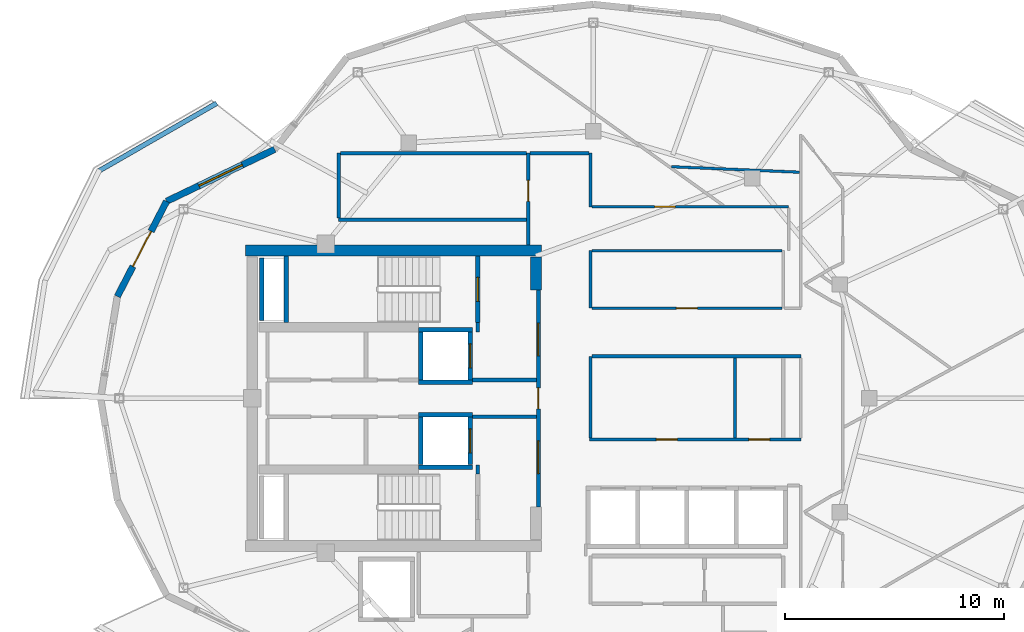
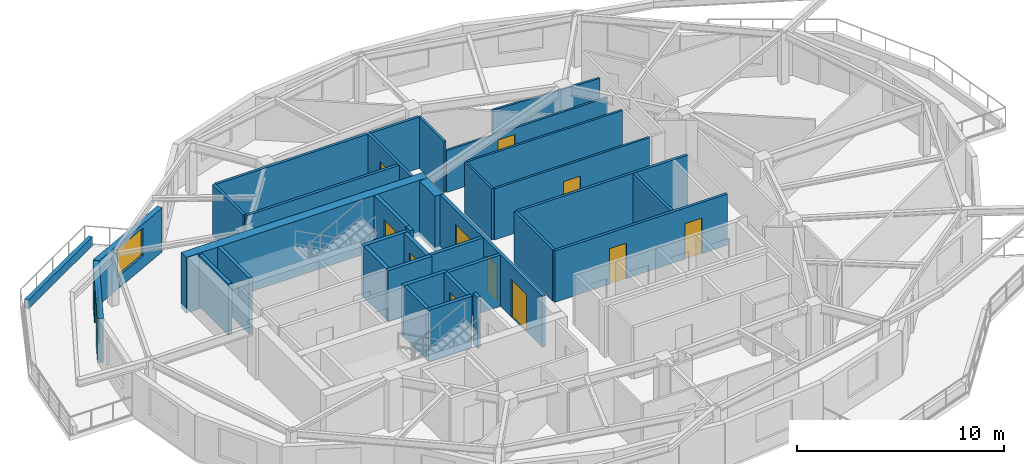
# One storey, part 5 of 9: 36 walls, 12 doors, 1 window, 13 openings.
"""IFC4 building model written with IfcOpenShell, lengths in metres."""

from ifc_helpers import new_model, si_unit, direction, frame, frame_2d, origin, place, context, subcontext, project, spatial, rectangle, extrude, material, layer, layer_set, type_object, element, fill, save


model = new_model("IFC4")

# Units and contexts
model_context = context("Model", 3, precision=1e-05, world=origin(), true_north=direction((0.0, 1.0)))
body_context = subcontext(model_context, "Body", "Model", "MODEL_VIEW")
ifc_project = project(units=[si_unit("LENGTHUNIT", "METRE"), si_unit("AREAUNIT", "SQUARE_METRE"), si_unit("VOLUMEUNIT", "CUBIC_METRE"), si_unit("PLANEANGLEUNIT", "RADIAN"), si_unit("MASSUNIT", "GRAM", prefix="KILO")], contexts=[model_context])

# Site, building, storey
site_placement = place(None, origin())
site = spatial("IfcSite", under=ifc_project, at=site_placement, CompositionType="ELEMENT")
building_placement = place(site_placement, origin())
building = spatial("IfcBuilding", under=site, at=building_placement, Name="Kolvaren Gate Tower and Convention Centre", CompositionType="ELEMENT")
storey_placement = place(building_placement, frame((0.0, 0.0, 249.199951171875)))
storey = spatial("IfcBuildingStorey", under=building, at=storey_placement, Name="L67", CompositionType="ELEMENT", Elevation=249.199951171875)

# Walls
ifc_material_1 = material(Name="Autoclaved Aerated Masonry Blockwork Class 4 (4.0 MPa)", Category="masonry")
ifc_layer_1 = layer(ifc_material_1, 0.179931640625)
ifc_layer_set_1 = layer_set([ifc_layer_1], Name="Autoclaved Aerated Masonry Blockwork Class 4 (4.0 MPa)")
wall_type_1 = type_object("IfcWallType", Name="ARCH-WL-COMP-180", PredefinedType="SOLIDWALL", material=ifc_layer_set_1)
for number, where, z_axis, x_axis, name in (
    (1, (24.85009765625, 23.5400390625, 0.0), (0.0, 0.0, 1.0), (0.0, 1.0, 0.0), "Interior Partition WL-L67-INT-001"),
    (2, (24.85009765625, 30.0400390625, 0.0), (0.0, 0.0, 1.0), (0.0, 1.0, 0.0), "Interior Partition WL-L67-INT-002"),
):
    element("IfcWall", number, at=place(storey_placement, frame(where, z_axis=z_axis, x_axis=x_axis)), inside=storey, type_object=wall_type_1, Name=name, PredefinedType="SOLIDWALL", context=body_context, shape_type="SweptSolid", body=[
        extrude(rectangle(XDim=0.419921875, YDim=0.179931640625, at=frame_2d((0.2099609375, 0.0))), origin(), (0.0, 0.0, 1.0), 3.030029296875),
    ])

# Wall, openings, doors
wall_1_placement = place(storey_placement, frame((27.6201171875, 22.050048828125, 0.0), z_axis=(0.0, 0.0, 1.0), x_axis=(0.0, 1.0, 0.0)))
wall_1 = element("IfcWall", 3, at=wall_1_placement, inside=storey, type_object=wall_type_1, Name="Interior Partition WL-L67-INT-003", PredefinedType="SOLIDWALL", context=body_context, shape_type="SweptSolid", body=[
    extrude(rectangle(XDim=9.89990234375, YDim=0.179931640625, at=frame_2d((4.949951171875, 0.0))), origin(), (0.0, 0.0, 1.0), 3.030029296875),
])
opening_1_placement = place(wall_1_placement, frame((4.47509765625, 0.0, 0.0)))
opening_1 = element("IfcOpeningElement", 4, at=opening_1_placement, cuts=wall_1, Name="Opening DR-01", PredefinedType="OPENING", context=body_context, shape_type="SweptSolid", body=[
    extrude(rectangle(XDim=0.949951171875, YDim=2.10009765625, at=frame_2d((0.47509765625, 1.050048828125))), frame((0.0, 0.099853515625, 0.0), z_axis=(0.0, -1.0, 0.0), x_axis=(1.0, 0.0, 0.0)), (0.0, 0.0, 1.0), 0.199951171875),
])
opening_2_placement = place(wall_1_placement, frame((6.889892578125, 0.0, 0.0)))
opening_2 = element("IfcOpeningElement", 5, at=opening_2_placement, cuts=wall_1, Name="Opening DL-01", PredefinedType="OPENING", context=body_context, shape_type="SweptSolid", body=[
    extrude(rectangle(XDim=1.5, YDim=2.199951171875, at=frame_2d((0.75, 1.10009765625))), frame((0.0, 0.099853515625, 0.0), z_axis=(0.0, -1.0, 0.0), x_axis=(1.0, 0.0, 0.0)), (0.0, 0.0, 1.0), 0.199951171875),
])
opening_3_placement = place(wall_1_placement, frame((1.510009765625, 0.0, 0.0)))
opening_3 = element("IfcOpeningElement", 6, at=opening_3_placement, cuts=wall_1, Name="Opening DL-01", PredefinedType="OPENING", context=body_context, shape_type="SweptSolid", body=[
    extrude(rectangle(XDim=1.5, YDim=2.199951171875, at=frame_2d((0.75, 1.10009765625))), frame((0.0, 0.099853515625, 0.0), z_axis=(0.0, -1.0, 0.0), x_axis=(1.0, 0.0, 0.0)), (0.0, 0.0, 1.0), 0.199951171875),
])
ifc_material_2 = material(Name="Painted Architectural Steelwork ASTM A500 Grade C 345 MPa", Category="steel")
door_type_1 = type_object("IfcDoorType", Name="ARCH-DR-LOBBY-1500", OperationType="DOUBLE_DOOR_SINGLE_SWING", PredefinedType="DOOR", material=ifc_material_2)
door_1_placement = place(opening_2_placement, origin())
door_1 = element("IfcDoor", 7, at=door_1_placement, inside=storey, type_object=door_type_1, Name="North Firefighting Stair and Lift Lobby Door", OperationType="DOUBLE_DOOR_SINGLE_SWING", OverallHeight=2.199951171875, OverallWidth=1.5, PredefinedType="DOOR", context=body_context, shape_type="SweptSolid", body=[
    extrude(rectangle(XDim=1.5, YDim=2.199951171875, at=frame_2d((0.75, 1.10009765625))), frame((0.0, 0.02490234375, 0.0), z_axis=(0.0, -1.0, 0.0), x_axis=(1.0, 0.0, 0.0)), (0.0, 0.0, 1.0), 0.050048828125),
])
fill(opening_2, door_1)
door_2_placement = place(opening_3_placement, origin())
door_2 = element("IfcDoor", 8, at=door_2_placement, inside=storey, type_object=door_type_1, Name="South Firefighting Stair and Lift Lobby Door", OperationType="DOUBLE_DOOR_SINGLE_SWING", OverallHeight=2.199951171875, OverallWidth=1.5, PredefinedType="DOOR", context=body_context, shape_type="SweptSolid", body=[
    extrude(rectangle(XDim=1.5, YDim=2.199951171875, at=frame_2d((0.75, 1.10009765625))), frame((0.0, 0.02490234375, 0.0), z_axis=(0.0, -1.0, 0.0), x_axis=(1.0, 0.0, 0.0)), (0.0, 0.0, 1.0), 0.050048828125),
])
fill(opening_3, door_2)
door_type_2 = type_object("IfcDoorType", Name="ARCH-DR-RISER-950", OperationType="SINGLE_SWING_RIGHT", PredefinedType="DOOR", material=ifc_material_2)
door_3_placement = place(opening_1_placement, origin())
door_3 = element("IfcDoor", 9, at=door_3_placement, inside=storey, type_object=door_type_2, Name="Central MEP Service Corridor Door", OperationType="SINGLE_SWING_LEFT", OverallHeight=2.10009765625, OverallWidth=0.949951171875, PredefinedType="DOOR", context=body_context, shape_type="SweptSolid", body=[
    extrude(rectangle(XDim=0.949951171875, YDim=2.10009765625, at=frame_2d((0.47509765625, 1.050048828125))), frame((0.0, 0.02490234375, 0.0), z_axis=(0.0, -1.0, 0.0), x_axis=(1.0, 0.0, 0.0)), (0.0, 0.0, 1.0), 0.050048828125),
])
fill(opening_1, door_3)

# Walls
for number, where, z_axis, x_axis, name in (
    (10, (24.60009765625, 27.840087890625, 0.0), (0.0, 0.0, 1.0), (1.0, 0.0, 0.0), "Interior Partition WL-L67-INT-004 (2)"),
    (11, (24.60009765625, 26.159912109375, 0.0), (0.0, 0.0, 1.0), (1.0, 0.0, 0.0), "Interior Partition WL-L67-INT-005 (2)"),
):
    element("IfcWall", number, at=place(storey_placement, frame(where, z_axis=z_axis, x_axis=x_axis)), inside=storey, type_object=wall_type_1, Name=name, PredefinedType="SOLIDWALL", context=body_context, shape_type="SweptSolid", body=[
        extrude(rectangle(XDim=2.927978515625, YDim=0.179931640625, at=frame_2d((1.4638671875, 0.0))), origin(), (0.0, 0.0, 1.0), 3.030029296875),
    ])
ifc_material_3 = material(Name="Fire-Rated Acoustic Gypsum Stud Partition", Category="gypsum")
ifc_layer_2 = layer(ifc_material_3, 0.1201171875)
ifc_layer_set_2 = layer_set([ifc_layer_2], Name="Fire-Rated Acoustic Gypsum Stud Partition")
wall_type_2 = type_object("IfcWallType", Name="ARCH-WL-PART-120", PredefinedType="PARTITIONING", material=ifc_layer_set_2)
wall_2_placement = place(storey_placement, frame((30.0, 31.1201171875, 0.0), z_axis=(0.0, 0.0, 1.0), x_axis=(0.0, 1.0, 0.0)))
element("IfcWall", 12, at=wall_2_placement, inside=storey, type_object=wall_type_2, Name="Interior Partition WL-L67-INT-017", PredefinedType="PARTITIONING", context=body_context, shape_type="SweptSolid", body=[
    extrude(rectangle(XDim=2.6298828125, YDim=0.1201171875, at=frame_2d((1.31494140625, 0.0))), origin(), (0.0, 0.0, 1.0), 3.030029296875),
])
wall_3_placement = place(storey_placement, frame((30.0, 35.75, 0.0), z_axis=(0.0, 0.0, 1.0), x_axis=(0.0, 1.0, 0.0)))
element("IfcWall", 13, at=wall_3_placement, inside=storey, type_object=wall_type_2, Name="Interior Partition WL-L67-INT-018", PredefinedType="PARTITIONING", context=body_context, shape_type="SweptSolid", body=[
    extrude(rectangle(XDim=2.449951171875, YDim=0.1201171875, at=frame_2d((1.22509765625, 0.0))), origin(), (0.0, 0.0, 1.0), 3.030029296875),
])

# Wall, opening, door
wall_4_placement = place(storey_placement, frame((30.06201171875, 31.1201171875, 0.0), z_axis=(0.0, 0.0, 1.0), x_axis=(1.0, 0.0, 0.0)))
wall_4 = element("IfcWall", 14, at=wall_4_placement, inside=storey, type_object=wall_type_2, Name="Interior Partition WL-L67-INT-024", PredefinedType="PARTITIONING", context=body_context, shape_type="SweptSolid", body=[
    extrude(rectangle(XDim=8.676025390625, YDim=0.1201171875, at=frame_2d((4.337890625, 0.0))), origin(), (0.0, 0.0, 1.0), 3.030029296875),
])
opening_4_placement = place(wall_4_placement, frame((3.863037109375, 0.0, 0.0)))
opening_4 = element("IfcOpeningElement", 15, at=opening_4_placement, cuts=wall_4, Name="Opening DR-01", PredefinedType="OPENING", context=body_context, shape_type="SweptSolid", body=[
    extrude(rectangle(XDim=0.949951171875, YDim=2.10009765625, at=frame_2d((0.47509765625, 1.050048828125))), frame((0.0, 0.070068359375, 0.0), z_axis=(0.0, -1.0, 0.0), x_axis=(1.0, 0.0, 0.0)), (0.0, 0.0, 1.0), 0.14013671875),
])
door_4_placement = place(opening_4_placement, origin())
door_4 = element("IfcDoor", 16, at=door_4_placement, inside=storey, type_object=door_type_2, Name="Botanical Reading Clubroom Door", OperationType="SINGLE_SWING_LEFT", OverallHeight=2.10009765625, OverallWidth=0.949951171875, PredefinedType="DOOR", context=body_context, shape_type="SweptSolid", body=[
    extrude(rectangle(XDim=0.949951171875, YDim=2.10009765625, at=frame_2d((0.47509765625, 1.050048828125))), frame((0.0, 0.02490234375, 0.0), z_axis=(0.0, -1.0, 0.0), x_axis=(1.0, 0.0, 0.0)), (0.0, 0.0, 1.0), 0.050048828125),
])
fill(opening_4, door_4)

# Wall
wall_5_placement = place(storey_placement, frame((30.06201171875, 33.75, 0.0), z_axis=(0.0, 0.0, 1.0), x_axis=(1.0, 0.0, 0.0)))
element("IfcWall", 17, at=wall_5_placement, inside=storey, type_object=wall_type_2, Name="Interior Partition WL-L67-INT-025", PredefinedType="PARTITIONING", context=body_context, shape_type="SweptSolid", body=[
    extrude(rectangle(XDim=8.676025390625, YDim=0.1201171875, at=frame_2d((4.337890625, 0.0))), origin(), (0.0, 0.0, 1.0), 3.030029296875),
])

# Wall, opening, door
wall_6_placement = place(storey_placement, frame((30.06201171875, 35.75, 0.0), z_axis=(0.0, 0.0, 1.0), x_axis=(1.0, 0.0, 0.0)))
wall_6 = element("IfcWall", 18, at=wall_6_placement, inside=storey, type_object=wall_type_2, Name="Interior Partition WL-L67-INT-032", PredefinedType="PARTITIONING", context=body_context, shape_type="SweptSolid", body=[
    extrude(rectangle(XDim=8.988037109375, YDim=0.1201171875, at=frame_2d((4.494140625, 0.0))), origin(), (0.0, 0.0, 1.0), 2.47802734375),
])
opening_5_placement = place(wall_6_placement, frame((2.860107421875, 0.0, 0.0)))
opening_5 = element("IfcOpeningElement", 19, at=opening_5_placement, cuts=wall_6, Name="Opening DR-01", PredefinedType="OPENING", context=body_context, shape_type="SweptSolid", body=[
    extrude(rectangle(XDim=0.949951171875, YDim=2.10009765625, at=frame_2d((0.47509765625, 1.050048828125))), frame((0.0, 0.070068359375, 0.0), z_axis=(0.0, -1.0, 0.0), x_axis=(1.0, 0.0, 0.0)), (0.0, 0.0, 1.0), 0.14013671875),
])
door_5_placement = place(opening_5_placement, origin())
door_5 = element("IfcDoor", 20, at=door_5_placement, inside=storey, type_object=door_type_2, Name="Resident Private Study and Home Office Door", OperationType="SINGLE_SWING_LEFT", OverallHeight=2.10009765625, OverallWidth=0.949951171875, PredefinedType="DOOR", context=body_context, shape_type="SweptSolid", body=[
    extrude(rectangle(XDim=0.949951171875, YDim=2.10009765625, at=frame_2d((0.47509765625, 1.050048828125))), frame((0.0, 0.02490234375, 0.0), z_axis=(0.0, -1.0, 0.0), x_axis=(1.0, 0.0, 0.0)), (0.0, 0.0, 1.0), 0.050048828125),
])
fill(opening_5, door_5)

# Walls
wall_7_placement = place(storey_placement, frame((33.69921875, 37.5791015625, 0.0), z_axis=(0.0, 0.0, 1.0), x_axis=(0.999081056781, -0.042860727724, 0.0)))
element("IfcWall", 21, at=wall_7_placement, inside=storey, type_object=wall_type_2, Name="Interior Partition WL-L67-INT-074", PredefinedType="PARTITIONING", context=body_context, shape_type="SweptSolid", body=[
    extrude(rectangle(XDim=5.84423828125, YDim=0.1201171875, at=frame_2d((2.922119140625, 0.0))), origin(), (0.0, 0.0, 1.0), 2.47802734375),
])
ifc_material_4 = material(Name="Piedmont Cream Honed Limestone Cladding", Category="masonry")
ifc_layer_3 = layer(ifc_material_4, 0.219970703125)
ifc_layer_set_3 = layer_set([ifc_layer_3], Name="Piedmont Cream Honed Limestone Cladding")
wall_type_3 = type_object("IfcWallType", Name="ARCH-WL-PLANTER-220", PredefinedType="PARAPET", material=ifc_layer_set_3)
wall_8_placement = place(storey_placement, frame((7.556884765625, 37.390625, 0.0), z_axis=(0.0, 0.0, 1.0), x_axis=(0.866901621005, 0.49847926687, 0.0)))
element("IfcWall", 22, at=wall_8_placement, inside=storey, type_object=wall_type_3, Name="Vertical-Forest Balcony Stone Planter Kerb PK-L67-2.1", PredefinedType="PARAPET", context=body_context, shape_type="SweptSolid", body=[
    extrude(rectangle(XDim=6.196533203125, YDim=0.219970703125, at=frame_2d((3.09814453125, 0.0))), origin(), (0.0, 0.0, 1.0), 0.52001953125),
])
ifc_layer_4 = layer(ifc_material_1, 0.199951171875)
ifc_layer_set_4 = layer_set([ifc_layer_4], Name="Autoclaved Aerated Masonry Blockwork Class 4 (4.0 MPa)")
wall_type_4 = type_object("IfcWallType", Name="ARCH-WL-SHAFT-200", PredefinedType="SOLIDWALL", material=ifc_layer_set_4)
for number, where, z_axis, x_axis, name in (
    (23, (22.14990234375, 30.139892578125, 0.0), (0.0, 0.0, 1.0), (1.0, 0.0, 0.0), "Elevator FF-01 L67 Fire Shaft Wall N"),
    (24, (22.14990234375, 27.739990234375, 0.0), (0.0, 0.0, 1.0), (1.0, 0.0, 0.0), "Elevator FF-01 L67 Fire Shaft Wall S"),
):
    element("IfcWall", number, at=place(storey_placement, frame(where, z_axis=z_axis, x_axis=x_axis)), inside=storey, type_object=wall_type_4, Name=name, PredefinedType="SOLIDWALL", context=body_context, shape_type="SweptSolid", body=[
        extrude(rectangle(XDim=2.4501953125, YDim=0.199951171875, at=frame_2d((1.22509765625, 0.0))), origin(), (0.0, 0.0, 1.0), 3.030029296875),
    ])
wall_9_placement = place(storey_placement, frame((22.25, 27.85009765625, 0.0), z_axis=(0.0, 0.0, 1.0), x_axis=(0.0, 1.0, 0.0)))
element("IfcWall", 25, at=wall_9_placement, inside=storey, type_object=wall_type_4, Name="Elevator FF-01 L67 Fire Shaft Wall W", PredefinedType="SOLIDWALL", context=body_context, shape_type="SweptSolid", body=[
    extrude(rectangle(XDim=2.179931640625, YDim=0.199951171875, at=frame_2d((1.08984375, 0.0))), origin(), (0.0, 0.0, 1.0), 3.030029296875),
])

# Wall, opening, door
wall_10_placement = place(storey_placement, frame((24.5, 27.85009765625, 0.0), z_axis=(0.0, 0.0, 1.0), x_axis=(0.0, 1.0, 0.0)))
wall_10 = element("IfcWall", 26, at=wall_10_placement, inside=storey, type_object=wall_type_4, Name="Elevator FF-01 L67 Fire Shaft Wall E", PredefinedType="SOLIDWALL", context=body_context, shape_type="SweptSolid", body=[
    extrude(rectangle(XDim=2.179931640625, YDim=0.199951171875, at=frame_2d((1.08984375, 0.0))), origin(), (0.0, 0.0, 1.0), 3.030029296875),
])
opening_6_placement = place(wall_10_placement, frame((0.5400390625, 0.0, 0.0)))
opening_6 = element("IfcOpeningElement", 27, at=opening_6_placement, cuts=wall_10, Name="Opening LD", PredefinedType="OPENING", context=body_context, shape_type="SweptSolid", body=[
    extrude(rectangle(XDim=1.10009765625, YDim=2.199951171875, at=frame_2d((0.550048828125, 1.10009765625))), frame((0.0, 0.10986328125, 0.0), z_axis=(0.0, -1.0, 0.0), x_axis=(1.0, 0.0, 0.0)), (0.0, 0.0, 1.0), 0.219970703125),
])
ifc_material_5 = material(Name="Brushed Stainless Steel Grade 316L", Category="steel")
door_type_3 = type_object("IfcDoorType", Name="ARCH-DR-LIFT-1100", OperationType="SLIDING_TO_LEFT", PredefinedType="DOOR", material=ifc_material_5)
door_6_placement = place(opening_6_placement, origin())
door_6 = element("IfcDoor", 28, at=door_6_placement, inside=storey, type_object=door_type_3, Name="Elevator FF-01 L67 Sliding Landing Door", OperationType="SLIDING_TO_LEFT", OverallHeight=2.199951171875, OverallWidth=1.10009765625, PredefinedType="DOOR", context=body_context, shape_type="SweptSolid", body=[
    extrude(rectangle(XDim=1.10009765625, YDim=2.199951171875, at=frame_2d((0.550048828125, 1.10009765625))), frame((0.0, 0.02490234375, 0.0), z_axis=(0.0, -1.0, 0.0), x_axis=(1.0, 0.0, 0.0)), (0.0, 0.0, 1.0), 0.050048828125),
])
fill(opening_6, door_6)

# Walls
for number, where, z_axis, x_axis, name in (
    (29, (22.14990234375, 26.260009765625, 0.0), (0.0, 0.0, 1.0), (1.0, 0.0, 0.0), "Elevator FF-02 L67 Fire Shaft Wall N"),
    (30, (22.14990234375, 23.860107421875, 0.0), (0.0, 0.0, 1.0), (1.0, 0.0, 0.0), "Elevator FF-02 L67 Fire Shaft Wall S"),
):
    element("IfcWall", number, at=place(storey_placement, frame(where, z_axis=z_axis, x_axis=x_axis)), inside=storey, type_object=wall_type_4, Name=name, PredefinedType="SOLIDWALL", context=body_context, shape_type="SweptSolid", body=[
        extrude(rectangle(XDim=2.4501953125, YDim=0.199951171875, at=frame_2d((1.22509765625, 0.0))), origin(), (0.0, 0.0, 1.0), 3.030029296875),
    ])
wall_11_placement = place(storey_placement, frame((22.25, 23.969970703125, 0.0), z_axis=(0.0, 0.0, 1.0), x_axis=(0.0, 1.0, 0.0)))
element("IfcWall", 31, at=wall_11_placement, inside=storey, type_object=wall_type_4, Name="Elevator FF-02 L67 Fire Shaft Wall W", PredefinedType="SOLIDWALL", context=body_context, shape_type="SweptSolid", body=[
    extrude(rectangle(XDim=2.179931640625, YDim=0.199951171875, at=frame_2d((1.08984375, 0.0))), origin(), (0.0, 0.0, 1.0), 3.030029296875),
])

# Wall, opening, door
wall_12_placement = place(storey_placement, frame((24.5, 23.969970703125, 0.0), z_axis=(0.0, 0.0, 1.0), x_axis=(0.0, 1.0, 0.0)))
wall_12 = element("IfcWall", 32, at=wall_12_placement, inside=storey, type_object=wall_type_4, Name="Elevator FF-02 L67 Fire Shaft Wall E", PredefinedType="SOLIDWALL", context=body_context, shape_type="SweptSolid", body=[
    extrude(rectangle(XDim=2.179931640625, YDim=0.199951171875, at=frame_2d((1.08984375, 0.0))), origin(), (0.0, 0.0, 1.0), 3.030029296875),
])
opening_7_placement = place(wall_12_placement, frame((0.5400390625, 0.0, 0.0)))
opening_7 = element("IfcOpeningElement", 33, at=opening_7_placement, cuts=wall_12, Name="Opening LD", PredefinedType="OPENING", context=body_context, shape_type="SweptSolid", body=[
    extrude(rectangle(XDim=1.10009765625, YDim=2.199951171875, at=frame_2d((0.550048828125, 1.10009765625))), frame((0.0, 0.10986328125, 0.0), z_axis=(0.0, -1.0, 0.0), x_axis=(1.0, 0.0, 0.0)), (0.0, 0.0, 1.0), 0.219970703125),
])
door_7_placement = place(opening_7_placement, origin())
door_7 = element("IfcDoor", 34, at=door_7_placement, inside=storey, type_object=door_type_3, Name="Elevator FF-02 L67 Sliding Landing Door", OperationType="SLIDING_TO_LEFT", OverallHeight=2.199951171875, OverallWidth=1.10009765625, PredefinedType="DOOR", context=body_context, shape_type="SweptSolid", body=[
    extrude(rectangle(XDim=1.10009765625, YDim=2.199951171875, at=frame_2d((0.550048828125, 1.10009765625))), frame((0.0, 0.02490234375, 0.0), z_axis=(0.0, -1.0, 0.0), x_axis=(1.0, 0.0, 0.0)), (0.0, 0.0, 1.0), 0.050048828125),
])
fill(opening_7, door_7)

# Wall
wall_13_placement = place(storey_placement, frame((14.989990234375, 30.550048828125, 0.0), z_axis=(0.0, 0.0, 1.0), x_axis=(0.0, 1.0, 0.0)))
element("IfcWall", 35, at=wall_13_placement, inside=storey, type_object=wall_type_4, Name="Vertical Shaft HVR L67 EI-120 Enclosure Wall W", PredefinedType="SOLIDWALL", context=body_context, shape_type="SweptSolid", body=[
    extrude(rectangle(XDim=2.849853515625, YDim=0.199951171875, at=frame_2d((1.4248046875, 0.0))), origin(), (0.0, 0.0, 1.0), 3.030029296875),
])

# Wall, opening, window
ifc_layer_5 = layer(ifc_material_4, 0.300048828125)
ifc_layer_set_5 = layer_set([ifc_layer_5], Name="Piedmont Cream Honed Limestone Cladding")
wall_type_5 = type_object("IfcWallType", Name="ARCH-WL-STONE-300", PredefinedType="SOLIDWALL", material=ifc_layer_set_5)
wall_14_placement = place(storey_placement, frame((10.639404296875, 36.0, 0.0), z_axis=(0.0, 0.0, 1.0), x_axis=(0.901355238351, 0.433080517106, 0.0)))
wall_14 = element("IfcWall", 36, at=wall_14_placement, inside=storey, type_object=wall_type_5, Name="Tower L67 Honed Stone Spandrel Wall EW-09", PredefinedType="SOLIDWALL", context=body_context, shape_type="SweptSolid", body=[
    extrude(rectangle(XDim=5.47314453125, YDim=0.300048828125, at=frame_2d((2.736572265625, 0.0))), origin(), (0.0, 0.0, 1.0), 2.60498046875),
])
opening_8_placement = place(wall_14_placement, frame((1.636962890625, 0.0, 0.719970703125)))
opening_8 = element("IfcOpeningElement", 37, at=opening_8_placement, cuts=wall_14, Name="Opening W-03", PredefinedType="OPENING", context=body_context, shape_type="SweptSolid", body=[
    extrude(rectangle(XDim=2.199951171875, YDim=1.64990234375, at=frame_2d((1.10009765625, 0.824951171875))), frame((0.0, 0.159912109375, 0.0), z_axis=(0.0, -1.0, 0.0), x_axis=(1.0, 0.0, 0.0)), (0.0, 0.0, 1.0), 0.320068359375),
])
ifc_material_6 = material(Name="Low-E Triple Insulated Glazing Unit 44 mm", Category="glass")
window_type = type_object("IfcWindowType", Name="ARCH-WN-RES-2200", PartitioningType="SINGLE_PANEL", PredefinedType="WINDOW", material=ifc_material_6)
window_placement = place(opening_8_placement, origin())
window = element("IfcWindow", 38, at=window_placement, inside=storey, type_object=window_type, Name="Tower L67 Punched Stone Facade Window W-09", OverallHeight=1.64990234375, OverallWidth=2.199951171875, PartitioningType="SINGLE_PANEL", PredefinedType="WINDOW", context=body_context, shape_type="SweptSolid", body=[
    extrude(rectangle(XDim=2.199951171875, YDim=1.64990234375, at=frame_2d((1.10009765625, 0.824951171875))), frame((0.0, 0.030029296875, 0.0), z_axis=(0.0, -1.0, 0.0), x_axis=(1.0, 0.0, 0.0)), (0.0, 0.0, 1.0), 0.06005859375),
])
fill(opening_8, window)

# Wall, opening, door
wall_15_placement = place(storey_placement, frame((8.3916015625, 31.65869140625, 0.0), z_axis=(0.0, 0.0, 1.0), x_axis=(0.459793771602, 0.888025724625, 0.0)))
wall_15 = element("IfcWall", 39, at=wall_15_placement, inside=storey, type_object=wall_type_5, Name="Tower L67 Honed Stone Spandrel Wall EW-10", PredefinedType="SOLIDWALL", context=body_context, shape_type="SweptSolid", body=[
    extrude(rectangle(XDim=4.888671875, YDim=0.300048828125, at=frame_2d((2.4443359375, 0.0))), origin(), (0.0, 0.0, 1.0), 2.60498046875),
])
opening_9_placement = place(wall_15_placement, frame((1.5439453125, 0.0, 0.0)))
opening_9 = element("IfcOpeningElement", 40, at=opening_9_placement, cuts=wall_15, Name="Opening DB-01", PredefinedType="OPENING", context=body_context, shape_type="SweptSolid", body=[
    extrude(rectangle(XDim=1.800048828125, YDim=2.25, at=frame_2d((0.89990234375, 1.125))), frame((0.0, 0.159912109375, 0.0), z_axis=(0.0, -1.0, 0.0), x_axis=(1.0, 0.0, 0.0)), (0.0, 0.0, 1.0), 0.320068359375),
])
ifc_material_7 = material(Name="Anodized Architectural Aluminium Alloy 6063-T6", Category="aluminium")
door_type_4 = type_object("IfcDoorType", Name="ARCH-DR-BALC-1800", OperationType="SLIDING_TO_LEFT", PredefinedType="DOOR", material=ifc_material_7)
door_8_placement = place(opening_9_placement, origin())
door_8 = element("IfcDoor", 41, at=door_8_placement, inside=storey, type_object=door_type_4, Name="Planted Sky Terrace Access Door DB-L67-10", OperationType="SLIDING_TO_LEFT", OverallHeight=2.25, OverallWidth=1.800048828125, PredefinedType="DOOR", context=body_context, shape_type="SweptSolid", body=[
    extrude(rectangle(XDim=1.800048828125, YDim=2.25, at=frame_2d((0.89990234375, 1.125))), frame((0.0, 0.02490234375, 0.0), z_axis=(0.0, -1.0, 0.0), x_axis=(1.0, 0.0, 0.0)), (0.0, 0.0, 1.0), 0.050048828125),
])
fill(opening_9, door_8)

ifc_material_8 = material(Name="Moisture-Resistant Cement-Board Acoustic Partition", Category="gypsum")
ifc_layer_6 = layer(ifc_material_8, 0.14990234375)
ifc_layer_set_6 = layer_set([ifc_layer_6], Name="Moisture-Resistant Cement-Board Acoustic Partition")
wall_type_6 = type_object("IfcWallType", Name="ARCH-WL-WET-150", PredefinedType="PARTITIONING", material=ifc_layer_set_6)
wall_16_placement = place(storey_placement, frame((27.14990234375, 34.001953125, 0.0), z_axis=(0.0, 0.0, 1.0), x_axis=(0.0, 1.0, 0.0)))
wall_16 = element("IfcWall", 42, at=wall_16_placement, inside=storey, type_object=wall_type_6, Name="Interior Partition WL-L67-INT-013", PredefinedType="PARTITIONING", context=body_context, shape_type="SweptSolid", body=[
    extrude(rectangle(XDim=4.197998046875, YDim=0.14990234375, at=frame_2d((2.09912109375, 0.0))), origin(), (0.0, 0.0, 1.0), 3.030029296875),
])
opening_10_placement = place(wall_16_placement, frame((1.998046875, 0.0, 0.0)))
opening_10 = element("IfcOpeningElement", 43, at=opening_10_placement, cuts=wall_16, Name="Opening DR-01", PredefinedType="OPENING", context=body_context, shape_type="SweptSolid", body=[
    extrude(rectangle(XDim=0.949951171875, YDim=2.10009765625, at=frame_2d((0.47509765625, 1.050048828125))), frame((0.0, 0.0849609375, 0.0), z_axis=(0.0, -1.0, 0.0), x_axis=(1.0, 0.0, 0.0)), (0.0, 0.0, 1.0), 0.169921875),
])
door_9_placement = place(opening_10_placement, origin())
door_9 = element("IfcDoor", 44, at=door_9_placement, inside=storey, type_object=door_type_2, Name="Reclaimed North Resident Store Door", OperationType="SINGLE_SWING_LEFT", OverallHeight=2.10009765625, OverallWidth=0.949951171875, PredefinedType="DOOR", context=body_context, shape_type="SweptSolid", body=[
    extrude(rectangle(XDim=0.949951171875, YDim=2.10009765625, at=frame_2d((0.47509765625, 1.050048828125))), frame((0.0, 0.02490234375, 0.0), z_axis=(0.0, -1.0, 0.0), x_axis=(1.0, 0.0, 0.0)), (0.0, 0.0, 1.0), 0.050048828125),
])
fill(opening_10, door_9)

# Wall, openings, doors
wall_17_placement = place(storey_placement, frame((29.9599609375, 25.1201171875, 0.0), z_axis=(0.0, 0.0, 1.0), x_axis=(1.0, 0.0, 0.0)))
wall_17 = element("IfcWall", 45, at=wall_17_placement, inside=storey, type_object=wall_type_6, Name="Interior Partition WL-L67-INT-014", PredefinedType="PARTITIONING", context=body_context, shape_type="SweptSolid", body=[
    extrude(rectangle(XDim=9.64013671875, YDim=0.14990234375, at=frame_2d((4.820068359375, 0.0))), origin(), (0.0, 0.0, 1.0), 3.030029296875),
])
opening_11_placement = place(wall_17_placement, frame((3.050048828125, 0.0, 0.0)))
opening_11 = element("IfcOpeningElement", 46, at=opening_11_placement, cuts=wall_17, Name="Opening DR-01", PredefinedType="OPENING", context=body_context, shape_type="SweptSolid", body=[
    extrude(rectangle(XDim=0.949951171875, YDim=2.10009765625, at=frame_2d((0.47509765625, 1.050048828125))), frame((0.0, 0.0849609375, 0.0), z_axis=(0.0, -1.0, 0.0), x_axis=(1.0, 0.0, 0.0)), (0.0, 0.0, 1.0), 0.169921875),
])
opening_12_placement = place(wall_17_placement, frame((7.264892578125, 0.0, 0.0)))
opening_12 = element("IfcOpeningElement", 47, at=opening_12_placement, cuts=wall_17, Name="Opening DR-01", PredefinedType="OPENING", context=body_context, shape_type="SweptSolid", body=[
    extrude(rectangle(XDim=0.949951171875, YDim=2.10009765625, at=frame_2d((0.47509765625, 1.050048828125))), frame((0.0, 0.0849609375, 0.0), z_axis=(0.0, -1.0, 0.0), x_axis=(1.0, 0.0, 0.0)), (0.0, 0.0, 1.0), 0.169921875),
])
door_10_placement = place(opening_11_placement, origin())
door_10 = element("IfcDoor", 48, at=door_10_placement, inside=storey, type_object=door_type_2, Name="Accessible Universal Washroom Door", OperationType="SINGLE_SWING_LEFT", OverallHeight=2.10009765625, OverallWidth=0.949951171875, PredefinedType="DOOR", context=body_context, shape_type="SweptSolid", body=[
    extrude(rectangle(XDim=0.949951171875, YDim=2.10009765625, at=frame_2d((0.47509765625, 1.050048828125))), frame((0.0, 0.02490234375, 0.0), z_axis=(0.0, -1.0, 0.0), x_axis=(1.0, 0.0, 0.0)), (0.0, 0.0, 1.0), 0.050048828125),
])
fill(opening_11, door_10)
door_11_placement = place(opening_12_placement, origin())
door_11 = element("IfcDoor", 49, at=door_11_placement, inside=storey, type_object=door_type_2, Name="Floor Janitor and Supply Store Door", OperationType="SINGLE_SWING_RIGHT", OverallHeight=2.10009765625, OverallWidth=0.949951171875, PredefinedType="DOOR", context=body_context, shape_type="SweptSolid", body=[
    extrude(rectangle(XDim=0.949951171875, YDim=2.10009765625, at=frame_2d((0.47509765625, 1.050048828125))), frame((0.0, 0.02490234375, 0.0), z_axis=(0.0, -1.0, 0.0), x_axis=(1.0, 0.0, 0.0)), (0.0, 0.0, 1.0), 0.050048828125),
])
fill(opening_12, door_11)

# Walls
wall_18_placement = place(storey_placement, frame((30.0, 25.197021484375, 0.0), z_axis=(0.0, 0.0, 1.0), x_axis=(0.0, 1.0, 0.0)))
element("IfcWall", 50, at=wall_18_placement, inside=storey, type_object=wall_type_6, Name="Interior Partition WL-L67-INT-016", PredefinedType="PARTITIONING", context=body_context, shape_type="SweptSolid", body=[
    extrude(rectangle(XDim=3.722900390625, YDim=0.14990234375, at=frame_2d((1.861328125, 0.0))), origin(), (0.0, 0.0, 1.0), 3.030029296875),
])
wall_19_placement = place(storey_placement, frame((30.076904296875, 28.919921875, 0.0), z_axis=(0.0, 0.0, 1.0), x_axis=(1.0, 0.0, 0.0)))
element("IfcWall", 51, at=wall_19_placement, inside=storey, type_object=wall_type_6, Name="Interior Partition WL-L67-INT-019", PredefinedType="PARTITIONING", context=body_context, shape_type="SweptSolid", body=[
    extrude(rectangle(XDim=9.523193359375, YDim=0.14990234375, at=frame_2d((4.76171875, 0.0))), origin(), (0.0, 0.0, 1.0), 3.030029296875),
])
wall_20_placement = place(storey_placement, frame((36.60009765625, 25.197021484375, 0.0), z_axis=(0.0, 0.0, 1.0), x_axis=(0.0, 1.0, 0.0)))
element("IfcWall", 52, at=wall_20_placement, inside=storey, type_object=wall_type_6, Name="Interior Partition WL-L67-INT-020", PredefinedType="PARTITIONING", context=body_context, shape_type="SweptSolid", body=[
    extrude(rectangle(XDim=3.64599609375, YDim=0.14990234375, at=frame_2d((1.822998046875, 0.0))), origin(), (0.0, 0.0, 1.0), 3.030029296875),
])
wall_21_placement = place(storey_placement, frame((18.5, 35.159912109375, 0.0), z_axis=(0.0, 0.0, 1.0), x_axis=(1.0, 0.0, 0.0)))
element("IfcWall", 53, at=wall_21_placement, inside=storey, type_object=wall_type_6, Name="Interior Partition WL-L67-INT-029", PredefinedType="PARTITIONING", context=body_context, shape_type="SweptSolid", body=[
    extrude(rectangle(XDim=8.572998046875, YDim=0.14990234375, at=frame_2d((4.28662109375, 0.0))), origin(), (0.0, 0.0, 1.0), 3.030029296875),
])
wall_22_placement = place(storey_placement, frame((18.5, 35.237060546875, 0.0), z_axis=(0.0, 0.0, 1.0), x_axis=(0.0, 1.0, 0.0)))
element("IfcWall", 54, at=wall_22_placement, inside=storey, type_object=wall_type_6, Name="Interior Partition WL-L67-INT-030", PredefinedType="PARTITIONING", context=body_context, shape_type="SweptSolid", body=[
    extrude(rectangle(XDim=2.962890625, YDim=0.14990234375, at=frame_2d((1.4814453125, 0.0))), origin(), (0.0, 0.0, 1.0), 3.030029296875),
])
wall_23_placement = place(storey_placement, frame((18.576904296875, 38.199951171875, 0.0), z_axis=(0.0, 0.0, 1.0), x_axis=(1.0, 0.0, 0.0)))
element("IfcWall", 55, at=wall_23_placement, inside=storey, type_object=wall_type_6, Name="Interior Partition WL-L67-INT-031", PredefinedType="PARTITIONING", context=body_context, shape_type="SweptSolid", body=[
    extrude(rectangle(XDim=8.49609375, YDim=0.14990234375, at=frame_2d((4.248046875, 0.0))), origin(), (0.0, 0.0, 1.0), 3.030029296875),
])
wall_24_placement = place(storey_placement, frame((27.22705078125, 38.199951171875, 0.0), z_axis=(0.0, 0.0, 1.0), x_axis=(1.0, 0.0, 0.0)))
element("IfcWall", 56, at=wall_24_placement, inside=storey, type_object=wall_type_6, Name="Interior Partition WL-L67-INT-031 (2)", PredefinedType="PARTITIONING", context=body_context, shape_type="SweptSolid", body=[
    extrude(rectangle(XDim=2.7109375, YDim=0.14990234375, at=frame_2d((1.35546875, 0.0))), origin(), (0.0, 0.0, 1.0), 3.030029296875),
])
ifc_material_9 = material(Name="Concrete C50/60", Category="concrete")
ifc_layer_7 = layer(ifc_material_9, 0.5)
ifc_layer_set_7 = layer_set([ifc_layer_7], Name="Concrete C50/60")
wall_type_7 = type_object("IfcWallType", Name="STR-WL-CORE-500", PredefinedType="SHEAR", material=ifc_layer_set_7)
wall_25_placement = place(storey_placement, frame((14.25, 33.75, -0.27001953125), z_axis=(0.0, 0.0, 1.0), x_axis=(1.0, 0.0, 0.0)))
element("IfcWall", 57, at=wall_25_placement, inside=storey, type_object=wall_type_7, Name="Tower L67 Offset Core Shear Wall N", PredefinedType="SHEAR", context=body_context, shape_type="SweptSolid", body=[
    extrude(rectangle(XDim=13.5, YDim=0.5, at=frame_2d((6.75, 0.0))), origin(), (0.0, 0.0, 1.0), 3.300048828125),
])
wall_26_placement = place(storey_placement, frame((27.5, 31.949951171875, -0.27001953125), z_axis=(0.0, 0.0, 1.0), x_axis=(0.0, 1.0, 0.0)))
element("IfcWall", 58, at=wall_26_placement, inside=storey, type_object=wall_type_7, Name="Tower L67 Offset Core Shear Wall EN", PredefinedType="SHEAR", context=body_context, shape_type="SweptSolid", body=[
    extrude(rectangle(XDim=1.5, YDim=0.5, at=frame_2d((0.75, 0.0))), origin(), (0.0, 0.0, 1.0), 3.300048828125),
])

# Wall, opening, door
ifc_layer_8 = layer(ifc_material_9, 0.199951171875)
ifc_layer_set_8 = layer_set([ifc_layer_8], Name="Concrete C50/60")
wall_type_8 = type_object("IfcWallType", Name="STR-WL-SHAFT-200", PredefinedType="SHEAR", material=ifc_layer_set_8)
wall_27_placement = place(storey_placement, frame((24.85009765625, 30.4599609375, -0.27001953125), z_axis=(0.0, 0.0, 1.0), x_axis=(0.0, 1.0, 0.0)))
wall_27 = element("IfcWall", 59, at=wall_27_placement, inside=storey, type_object=wall_type_8, Name="Tower North Exit Stair ST-T1 L67 Structural Shear Enclosure Wall NEAR", PredefinedType="SHEAR", context=body_context, shape_type="SweptSolid", body=[
    extrude(rectangle(XDim=3.0380859375, YDim=0.199951171875, at=frame_2d((1.51904296875, 0.0))), origin(), (0.0, 0.0, 1.0), 3.300048828125),
])
opening_13_placement = place(wall_27_placement, frame((0.968994140625, 0.0, 0.27001953125)))
opening_13 = element("IfcOpeningElement", 60, at=opening_13_placement, cuts=wall_27, Name="Opening DS-01", PredefinedType="OPENING", context=body_context, shape_type="SweptSolid", body=[
    extrude(rectangle(XDim=1.10009765625, YDim=2.14990234375, at=frame_2d((0.550048828125, 1.074951171875))), frame((0.0, 0.10986328125, 0.0), z_axis=(0.0, -1.0, 0.0), x_axis=(1.0, 0.0, 0.0)), (0.0, 0.0, 1.0), 0.219970703125),
])
door_type_5 = type_object("IfcDoorType", Name="ARCH-DR-STAIR-1100", OperationType="SINGLE_SWING_LEFT", PredefinedType="DOOR", material=ifc_material_2)
door_12_placement = place(opening_13_placement, origin())
door_12 = element("IfcDoor", 61, at=door_12_placement, inside=storey, type_object=door_type_5, Name="Tower North Exit Stair ST-T1 L67 Fire Exit Stair Door", OperationType="SINGLE_SWING_LEFT", OverallHeight=2.14990234375, OverallWidth=1.10009765625, PredefinedType="DOOR", context=body_context, shape_type="SweptSolid", body=[
    extrude(rectangle(XDim=1.10009765625, YDim=2.14990234375, at=frame_2d((0.550048828125, 1.074951171875))), frame((0.0, 0.02490234375, 0.0), z_axis=(0.0, -1.0, 0.0), x_axis=(1.0, 0.0, 0.0)), (0.0, 0.0, 1.0), 0.050048828125),
])
fill(opening_13, door_12)

# Wall
wall_28_placement = place(storey_placement, frame((16.10009765625, 30.4619140625, -0.27001953125), z_axis=(0.0, 0.0, 1.0), x_axis=(0.0, 1.0, 0.0)))
element("IfcWall", 62, at=wall_28_placement, inside=storey, type_object=wall_type_8, Name="Tower North Exit Stair ST-T1 L67 Structural Shear Enclosure Wall FAR", PredefinedType="SHEAR", context=body_context, shape_type="SweptSolid", body=[
    extrude(rectangle(XDim=3.0361328125, YDim=0.199951171875, at=frame_2d((1.51806640625, 0.0))), origin(), (0.0, 0.0, 1.0), 3.300048828125),
])

save(model, "model.ifc")
